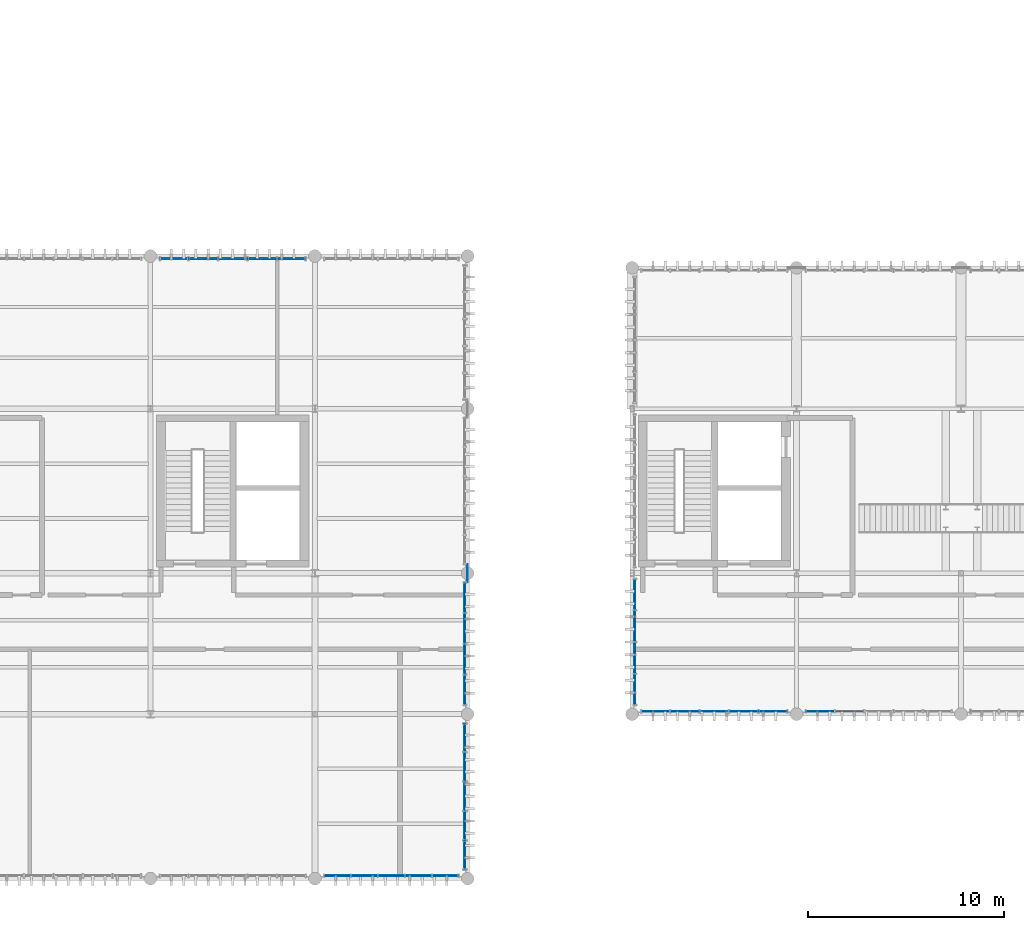
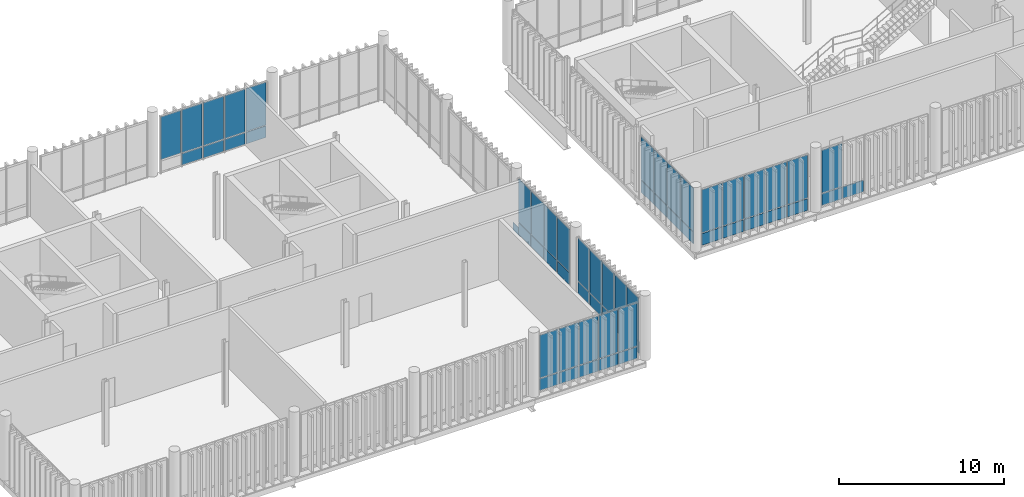
# One storey, part 63 of 86: 59 plates, 7 elements without a shape of their own.
"""IFC4 building model written with IfcOpenShell, lengths in metres."""

from ifc_helpers import new_model, si_unit, direction, frame, frame_2d, origin_with_axes, origin_2d_with_axis, place, context, subcontext, project, spatial, rectangle, extrude, material, layer, layer_set, type_object, element, aggregate, save


model = new_model("IFC4")

# Units and contexts
model_context = context("Model", 3, precision=1e-05, world=origin_with_axes(), true_north=direction((0.0, 1.0)))
body_context = subcontext(model_context, "Body", "Model", "MODEL_VIEW")
ifc_project = project(units=[si_unit("LENGTHUNIT", "METRE"), si_unit("AREAUNIT", "SQUARE_METRE"), si_unit("VOLUMEUNIT", "CUBIC_METRE"), si_unit("PLANEANGLEUNIT", "RADIAN"), si_unit("MASSUNIT", "GRAM", prefix="KILO"), si_unit("THERMODYNAMICTEMPERATUREUNIT", "KELVIN")], contexts=[model_context])

# Site, building, storey
site_placement = place(None, origin_with_axes())
site = spatial("IfcSite", under=ifc_project, at=site_placement, CompositionType="ELEMENT")
building_placement = place(site_placement, origin_with_axes())
building = spatial("IfcBuilding", under=site, at=building_placement, Name="Montbau Bow Law Courts", CompositionType="ELEMENT")
storey_placement = place(building_placement, frame((0.0, 0.0, 29.7), z_axis=(0.0, 0.0, 1.0), x_axis=(1.0, 0.0, 0.0)))
storey = spatial("IfcBuildingStorey", under=building, at=storey_placement, Name="L06", CompositionType="ELEMENT", Elevation=29.7)

# Curtain wall, plates
ifc_material_1 = material(Name="Thermally Broken Extruded Aluminium AA 6063-T6", Category="aluminium")
curtain_wall_type_1 = type_object("IfcCurtainWallType", Name="CW-TRC-02", PredefinedType="NOTDEFINED", material=ifc_material_1)
curtain_wall_1_placement = place(None, frame((39.44, 30.74, 29.7), z_axis=(0.0, 0.0, 1.0), x_axis=(1.0, 0.0, 0.0)))
curtain_wall_1 = element("IfcCurtainWall", 1, at=curtain_wall_1_placement, inside=storey, type_object=curtain_wall_type_1, Name="CW-L06-098:cw_0098", PredefinedType="NOTDEFINED")
ifc_material_2 = material(Name="Triple-Glazed Low-E Argon Insulating Glass Unit", Category="glass")
ifc_layer_1 = layer(ifc_material_2, 0.044, Name="Curtain Panel", Category="glass")
ifc_layer_set_1 = layer_set([ifc_layer_1], Name="Triple-Glazed Low-E Argon Insulating Glass Unit")
plate_type_1 = type_object("IfcPlateType", Name="PL-CWP-01", PredefinedType="CURTAIN_PANEL", material=ifc_layer_set_1)
plate_1_placement = place(None, frame((39.502, 30.74, 30.682), z_axis=(0.0, -1.0, 0.0), x_axis=(1.0, 0.0, 0.0)))
plate_1 = element("IfcPlate", 2, at=plate_1_placement, type_object=plate_type_1, Name="CW-L06-098-P01-2:cw_0098_P01_2", PredefinedType="CURTAIN_PANEL", context=body_context, shape_type="SweptSolid", body=[
    extrude(rectangle(XDim=1.29, YDim=3.176, at=frame_2d((0.645, 1.588), x_axis=(1.0, 0.0))), frame((0.0, 0.0, -0.022), z_axis=(0.0, 0.0, 1.0), x_axis=(1.0, 0.0, 0.0)), (0.0, 0.0, 1.0), 0.044),
])
plate_2_placement = place(None, frame((40.856, 30.74, 30.682), z_axis=(0.0, -1.0, 0.0), x_axis=(1.0, 0.0, 0.0)))
plate_2 = element("IfcPlate", 3, at=plate_2_placement, type_object=plate_type_1, Name="CW-L06-098-P02-2:cw_0098_P02_2", PredefinedType="CURTAIN_PANEL", context=body_context, shape_type="SweptSolid", body=[
    extrude(rectangle(XDim=1.32, YDim=3.176, at=frame_2d((0.66, 1.588), x_axis=(1.0, 0.0))), frame((0.0, 0.0, -0.022), z_axis=(0.0, 0.0, 1.0), x_axis=(1.0, 0.0, 0.0)), (0.0, 0.0, 1.0), 0.044),
])
plate_3_placement = place(None, frame((42.24, 30.74, 30.682), z_axis=(0.0, -1.0, 0.0), x_axis=(1.0, 0.0, 0.0)))
plate_3 = element("IfcPlate", 4, at=plate_3_placement, type_object=plate_type_1, Name="CW-L06-098-P03-2:cw_0098_P03_2", PredefinedType="CURTAIN_PANEL", context=body_context, shape_type="SweptSolid", body=[
    extrude(rectangle(XDim=1.32, YDim=3.176, at=frame_2d((0.66, 1.588), x_axis=(1.0, 0.0))), frame((0.0, 0.0, -0.022), z_axis=(0.0, 0.0, 1.0), x_axis=(1.0, 0.0, 0.0)), (0.0, 0.0, 1.0), 0.044),
])
plate_4_placement = place(None, frame((43.624, 30.74, 30.682), z_axis=(0.0, -1.0, 0.0), x_axis=(1.0, 0.0, 0.0)))
plate_4 = element("IfcPlate", 5, at=plate_4_placement, type_object=plate_type_1, Name="CW-L06-098-P04-2:cw_0098_P04_2", PredefinedType="CURTAIN_PANEL", context=body_context, shape_type="SweptSolid", body=[
    extrude(rectangle(XDim=1.32, YDim=3.176, at=frame_2d((0.66, 1.588), x_axis=(1.0, 0.0))), frame((0.0, 0.0, -0.022), z_axis=(0.0, 0.0, 1.0), x_axis=(1.0, 0.0, 0.0)), (0.0, 0.0, 1.0), 0.044),
])
plate_5_placement = place(None, frame((45.008, 30.74, 30.682), z_axis=(0.0, -1.0, 0.0), x_axis=(1.0, 0.0, 0.0)))
plate_5 = element("IfcPlate", 6, at=plate_5_placement, type_object=plate_type_1, Name="CW-L06-098-P05-2:cw_0098_P05_2", PredefinedType="CURTAIN_PANEL", context=body_context, shape_type="SweptSolid", body=[
    extrude(rectangle(XDim=1.29, YDim=3.176, at=frame_2d((0.645, 1.588), x_axis=(1.0, 0.0))), frame((0.0, 0.0, -0.022), z_axis=(0.0, 0.0, 1.0), x_axis=(1.0, 0.0, 0.0)), (0.0, 0.0, 1.0), 0.044),
])

curtain_wall_2_placement = place(None, frame((31.04, 62.26, 29.7), z_axis=(0.0, 0.0, 1.0), x_axis=(1.0, 0.0, 0.0)))
curtain_wall_2 = element("IfcCurtainWall", 7, at=curtain_wall_2_placement, inside=storey, type_object=curtain_wall_type_1, Name="CW-L06-102:cw_0102", PredefinedType="NOTDEFINED")
plate_6_placement = place(None, frame((31.116, 62.26, 30.682), z_axis=(0.0, -1.0, 0.0), x_axis=(1.0, 0.0, 0.0)))
plate_6 = element("IfcPlate", 8, at=plate_6_placement, type_object=plate_type_1, Name="CW-L06-102-P01-2:cw_0102_P01_2", PredefinedType="CURTAIN_PANEL", context=body_context, shape_type="SweptSolid", body=[
    extrude(rectangle(XDim=1.388, YDim=3.176, at=frame_2d((0.694, 1.588), x_axis=(1.0, 0.0))), frame((0.0, 0.0, -0.022), z_axis=(0.0, 0.0, 1.0), x_axis=(1.0, 0.0, 0.0)), (0.0, 0.0, 1.0), 0.044),
])
plate_7_placement = place(None, frame((32.584, 62.26, 30.682), z_axis=(0.0, -1.0, 0.0), x_axis=(1.0, 0.0, 0.0)))
plate_7 = element("IfcPlate", 9, at=plate_7_placement, type_object=plate_type_1, Name="CW-L06-102-P02-2:cw_0102_P02_2", PredefinedType="CURTAIN_PANEL", context=body_context, shape_type="SweptSolid", body=[
    extrude(rectangle(XDim=1.425, YDim=3.176, at=frame_2d((0.7125, 1.588), x_axis=(1.0, 0.0))), frame((0.0, 0.0, -0.022), z_axis=(0.0, 0.0, 1.0), x_axis=(1.0, 0.0, 0.0)), (0.0, 0.0, 1.0), 0.044),
])
plate_8_placement = place(None, frame((34.087, 62.26, 30.682), z_axis=(0.0, -1.0, 0.0), x_axis=(1.0, 0.0, 0.0)))
plate_8 = element("IfcPlate", 10, at=plate_8_placement, type_object=plate_type_1, Name="CW-L06-102-P03-2:cw_0102_P03_2", PredefinedType="CURTAIN_PANEL", context=body_context, shape_type="SweptSolid", body=[
    extrude(rectangle(XDim=1.426, YDim=3.176, at=frame_2d((0.713, 1.588), x_axis=(1.0, 0.0))), frame((0.0, 0.0, -0.022), z_axis=(0.0, 0.0, 1.0), x_axis=(1.0, 0.0, 0.0)), (0.0, 0.0, 1.0), 0.044),
])
plate_9_placement = place(None, frame((35.591, 62.26, 30.682), z_axis=(0.0, -1.0, 0.0), x_axis=(1.0, 0.0, 0.0)))
plate_9 = element("IfcPlate", 11, at=plate_9_placement, type_object=plate_type_1, Name="CW-L06-102-P04-2:cw_0102_P04_2", PredefinedType="CURTAIN_PANEL", context=body_context, shape_type="SweptSolid", body=[
    extrude(rectangle(XDim=1.426, YDim=3.176, at=frame_2d((0.713, 1.588), x_axis=(1.0, 0.0))), frame((0.0, 0.0, -0.022), z_axis=(0.0, 0.0, 1.0), x_axis=(1.0, 0.0, 0.0)), (0.0, 0.0, 1.0), 0.044),
])
plate_10_placement = place(None, frame((37.095, 62.26, 30.682), z_axis=(0.0, -1.0, 0.0), x_axis=(1.0, 0.0, 0.0)))
plate_10 = element("IfcPlate", 12, at=plate_10_placement, type_object=plate_type_1, Name="CW-L06-102-P05-2:cw_0102_P05_2", PredefinedType="CURTAIN_PANEL", context=body_context, shape_type="SweptSolid", body=[
    extrude(rectangle(XDim=1.389, YDim=3.176, at=frame_2d((0.6945, 1.588), x_axis=(1.0, 0.0))), frame((0.0, 0.0, -0.022), z_axis=(0.0, 0.0, 1.0), x_axis=(1.0, 0.0, 0.0)), (0.0, 0.0, 1.0), 0.044),
])

curtain_wall_3_placement = place(None, frame((46.66, 31.04, 29.7), z_axis=(0.0, 0.0, 1.0), x_axis=(1.0, 0.0, 0.0)))
curtain_wall_3 = element("IfcCurtainWall", 13, at=curtain_wall_3_placement, inside=storey, type_object=curtain_wall_type_1, Name="CW-L06-108:cw_0108", PredefinedType="NOTDEFINED")
plate_11_placement = place(None, frame((46.66, 31.116, 30.682), z_axis=(1.0, 0.0, 0.0), x_axis=(0.0, 1.0, 0.0)))
plate_11 = element("IfcPlate", 14, at=plate_11_placement, type_object=plate_type_1, Name="CW-L06-108-P01-2:cw_0108_P01_2", PredefinedType="CURTAIN_PANEL", context=body_context, shape_type="SweptSolid", body=[
    extrude(rectangle(XDim=1.388, YDim=3.176, at=frame_2d((0.694, 1.588), x_axis=(1.0, 0.0))), frame((0.0, 0.0, -0.022), z_axis=(0.0, 0.0, 1.0), x_axis=(1.0, 0.0, 0.0)), (0.0, 0.0, 1.0), 0.044),
])
plate_12_placement = place(None, frame((46.66, 32.584, 30.682), z_axis=(1.0, 0.0, 0.0), x_axis=(0.0, 1.0, 0.0)))
plate_12 = element("IfcPlate", 15, at=plate_12_placement, type_object=plate_type_1, Name="CW-L06-108-P02-2:cw_0108_P02_2", PredefinedType="CURTAIN_PANEL", context=body_context, shape_type="SweptSolid", body=[
    extrude(rectangle(XDim=1.425, YDim=3.176, at=frame_2d((0.7125, 1.588), x_axis=(1.0, 0.0))), frame((0.0, 0.0, -0.022), z_axis=(0.0, 0.0, 1.0), x_axis=(1.0, 0.0, 0.0)), (0.0, 0.0, 1.0), 0.044),
])
plate_13_placement = place(None, frame((46.66, 34.087, 30.682), z_axis=(1.0, 0.0, 0.0), x_axis=(0.0, 1.0, 0.0)))
plate_13 = element("IfcPlate", 16, at=plate_13_placement, type_object=plate_type_1, Name="CW-L06-108-P03-2:cw_0108_P03_2", PredefinedType="CURTAIN_PANEL", context=body_context, shape_type="SweptSolid", body=[
    extrude(rectangle(XDim=1.426, YDim=3.176, at=frame_2d((0.713, 1.588), x_axis=(1.0, 0.0))), frame((0.0, 0.0, -0.022), z_axis=(0.0, 0.0, 1.0), x_axis=(1.0, 0.0, 0.0)), (0.0, 0.0, 1.0), 0.044),
])
plate_14_placement = place(None, frame((46.66, 35.591, 30.682), z_axis=(1.0, 0.0, 0.0), x_axis=(0.0, 1.0, 0.0)))
plate_14 = element("IfcPlate", 17, at=plate_14_placement, type_object=plate_type_1, Name="CW-L06-108-P04-2:cw_0108_P04_2", PredefinedType="CURTAIN_PANEL", context=body_context, shape_type="SweptSolid", body=[
    extrude(rectangle(XDim=1.426, YDim=3.176, at=frame_2d((0.713, 1.588), x_axis=(1.0, 0.0))), frame((0.0, 0.0, -0.022), z_axis=(0.0, 0.0, 1.0), x_axis=(1.0, 0.0, 0.0)), (0.0, 0.0, 1.0), 0.044),
])
plate_15_placement = place(None, frame((46.66, 37.095, 30.682), z_axis=(1.0, 0.0, 0.0), x_axis=(0.0, 1.0, 0.0)))
plate_15 = element("IfcPlate", 18, at=plate_15_placement, type_object=plate_type_1, Name="CW-L06-108-P05-2:cw_0108_P05_2", PredefinedType="CURTAIN_PANEL", context=body_context, shape_type="SweptSolid", body=[
    extrude(rectangle(XDim=1.389, YDim=3.176, at=frame_2d((0.6945, 1.588), x_axis=(1.0, 0.0))), frame((0.0, 0.0, -0.022), z_axis=(0.0, 0.0, 1.0), x_axis=(1.0, 0.0, 0.0)), (0.0, 0.0, 1.0), 0.044),
])

curtain_wall_4_placement = place(None, frame((46.66, 39.44, 29.7), z_axis=(0.0, 0.0, 1.0), x_axis=(1.0, 0.0, 0.0)))
curtain_wall_4 = element("IfcCurtainWall", 19, at=curtain_wall_4_placement, inside=storey, type_object=curtain_wall_type_1, Name="CW-L06-109:cw_0109", PredefinedType="NOTDEFINED")
plate_16_placement = place(None, frame((46.66, 39.508, 30.679), z_axis=(1.0, 0.0, 0.0), x_axis=(0.0, 1.0, 0.0)))
plate_16 = element("IfcPlate", 20, at=plate_16_placement, type_object=plate_type_1, Name="CW-L06-109-P01-2:cw_0109_P01_2", PredefinedType="CURTAIN_PANEL", context=body_context, shape_type="SweptSolid", body=[
    extrude(rectangle(XDim=1.478, YDim=3.183, at=frame_2d((0.739, 1.5915), x_axis=(1.0, 0.0))), frame((0.0, 0.0, -0.022), z_axis=(0.0, 0.0, 1.0), x_axis=(1.0, 0.0, 0.0)), (0.0, 0.0, 1.0), 0.044),
])
plate_17_placement = place(None, frame((46.66, 41.055, 30.679), z_axis=(1.0, 0.0, 0.0), x_axis=(0.0, 1.0, 0.0)))
plate_17 = element("IfcPlate", 21, at=plate_17_placement, type_object=plate_type_1, Name="CW-L06-109-P02-2:cw_0109_P02_2", PredefinedType="CURTAIN_PANEL", context=body_context, shape_type="SweptSolid", body=[
    extrude(rectangle(XDim=1.511, YDim=3.183, at=frame_2d((0.7555, 1.5915), x_axis=(1.0, 0.0))), frame((0.0, 0.0, -0.022), z_axis=(0.0, 0.0, 1.0), x_axis=(1.0, 0.0, 0.0)), (0.0, 0.0, 1.0), 0.044),
])
plate_18_placement = place(None, frame((46.66, 42.635, 30.679), z_axis=(1.0, 0.0, 0.0), x_axis=(0.0, 1.0, 0.0)))
plate_18 = element("IfcPlate", 22, at=plate_18_placement, type_object=plate_type_1, Name="CW-L06-109-P03-2:cw_0109_P03_2", PredefinedType="CURTAIN_PANEL", context=body_context, shape_type="SweptSolid", body=[
    extrude(rectangle(XDim=1.511, YDim=3.183, at=frame_2d((0.7555, 1.5915), x_axis=(1.0, 0.0))), frame((0.0, 0.0, -0.022), z_axis=(0.0, 0.0, 1.0), x_axis=(1.0, 0.0, 0.0)), (0.0, 0.0, 1.0), 0.044),
])
plate_19_placement = place(None, frame((46.66, 44.214, 30.679), z_axis=(1.0, 0.0, 0.0), x_axis=(0.0, 1.0, 0.0)))
plate_19 = element("IfcPlate", 23, at=plate_19_placement, type_object=plate_type_1, Name="CW-L06-109-P04-2:cw_0109_P04_2", PredefinedType="CURTAIN_PANEL", context=body_context, shape_type="SweptSolid", body=[
    extrude(rectangle(XDim=1.48, YDim=3.183, at=frame_2d((0.74, 1.5915), x_axis=(1.0, 0.0))), frame((0.0, 0.0, -0.022), z_axis=(0.0, 0.0, 1.0), x_axis=(1.0, 0.0, 0.0)), (0.0, 0.0, 1.0), 0.044),
])

curtain_wall_type_2 = type_object("IfcCurtainWallType", Name="CW-CRM-02", PredefinedType="NOTDEFINED", material=ifc_material_1)
curtain_wall_5_placement = place(None, frame((55.64, 39.14, 29.7), z_axis=(0.0, 0.0, 1.0), x_axis=(1.0, 0.0, 0.0)))
curtain_wall_5 = element("IfcCurtainWall", 24, at=curtain_wall_5_placement, inside=storey, type_object=curtain_wall_type_2, Name="CW-L06-223:cw_0223", PredefinedType="NOTDEFINED")
plate_20_placement = place(None, frame((55.708, 39.14, 30.679), z_axis=(0.0, -1.0, 0.0), x_axis=(1.0, 0.0, 0.0)))
plate_20 = element("IfcPlate", 25, at=plate_20_placement, type_object=plate_type_1, Name="CW-L06-223-P01-2:cw_0223_P01_2", PredefinedType="CURTAIN_PANEL", context=body_context, shape_type="SweptSolid", body=[
    extrude(rectangle(XDim=1.402, YDim=3.183, at=frame_2d((0.701, 1.5915), x_axis=(1.0, 0.0))), frame((0.0, 0.0, -0.022), z_axis=(0.0, 0.0, 1.0), x_axis=(1.0, 0.0, 0.0)), (0.0, 0.0, 1.0), 0.044),
])
plate_21_placement = place(None, frame((57.178, 39.14, 30.679), z_axis=(0.0, -1.0, 0.0), x_axis=(1.0, 0.0, 0.0)))
plate_21 = element("IfcPlate", 26, at=plate_21_placement, type_object=plate_type_1, Name="CW-L06-223-P02-2:cw_0223_P02_2", PredefinedType="CURTAIN_PANEL", context=body_context, shape_type="SweptSolid", body=[
    extrude(rectangle(XDim=1.436, YDim=3.183, at=frame_2d((0.718, 1.5915), x_axis=(1.0, 0.0))), frame((0.0, 0.0, -0.022), z_axis=(0.0, 0.0, 1.0), x_axis=(1.0, 0.0, 0.0)), (0.0, 0.0, 1.0), 0.044),
])
plate_22_placement = place(None, frame((58.682, 39.14, 30.679), z_axis=(0.0, -1.0, 0.0), x_axis=(1.0, 0.0, 0.0)))
plate_22 = element("IfcPlate", 27, at=plate_22_placement, type_object=plate_type_1, Name="CW-L06-223-P03-2:cw_0223_P03_2", PredefinedType="CURTAIN_PANEL", context=body_context, shape_type="SweptSolid", body=[
    extrude(rectangle(XDim=1.436, YDim=3.183, at=frame_2d((0.718, 1.5915), x_axis=(1.0, 0.0))), frame((0.0, 0.0, -0.022), z_axis=(0.0, 0.0, 1.0), x_axis=(1.0, 0.0, 0.0)), (0.0, 0.0, 1.0), 0.044),
])
plate_23_placement = place(None, frame((60.186, 39.14, 30.679), z_axis=(0.0, -1.0, 0.0), x_axis=(1.0, 0.0, 0.0)))
plate_23 = element("IfcPlate", 28, at=plate_23_placement, type_object=plate_type_1, Name="CW-L06-223-P04-2:cw_0223_P04_2", PredefinedType="CURTAIN_PANEL", context=body_context, shape_type="SweptSolid", body=[
    extrude(rectangle(XDim=1.436, YDim=3.183, at=frame_2d((0.718, 1.5915), x_axis=(1.0, 0.0))), frame((0.0, 0.0, -0.022), z_axis=(0.0, 0.0, 1.0), x_axis=(1.0, 0.0, 0.0)), (0.0, 0.0, 1.0), 0.044),
])
plate_24_placement = place(None, frame((61.69, 39.14, 30.679), z_axis=(0.0, -1.0, 0.0), x_axis=(1.0, 0.0, 0.0)))
plate_24 = element("IfcPlate", 29, at=plate_24_placement, type_object=plate_type_1, Name="CW-L06-223-P05-2:cw_0223_P05_2", PredefinedType="CURTAIN_PANEL", context=body_context, shape_type="SweptSolid", body=[
    extrude(rectangle(XDim=1.403, YDim=3.183, at=frame_2d((0.7015, 1.5915), x_axis=(1.0, 0.0))), frame((0.0, 0.0, -0.022), z_axis=(0.0, 0.0, 1.0), x_axis=(1.0, 0.0, 0.0)), (0.0, 0.0, 1.0), 0.044),
])

# Curtain wall, plate
curtain_wall_6_placement = place(None, frame((64.04, 39.14, 29.7), z_axis=(0.0, 0.0, 1.0), x_axis=(1.0, 0.0, 0.0)))
curtain_wall_6 = element("IfcCurtainWall", 30, at=curtain_wall_6_placement, inside=storey, type_object=curtain_wall_type_2, Name="CW-L06-224:cw_0224", PredefinedType="NOTDEFINED")
plate_25_placement = place(None, frame((64.102, 39.14, 30.682), z_axis=(0.0, -1.0, 0.0), x_axis=(1.0, 0.0, 0.0)))
plate_25 = element("IfcPlate", 31, at=plate_25_placement, type_object=plate_type_1, Name="CW-L06-224-P01-2:cw_0224_P01_2", PredefinedType="CURTAIN_PANEL", context=body_context, shape_type="SweptSolid", body=[
    extrude(rectangle(XDim=1.41, YDim=3.176, at=frame_2d((0.705, 1.588), x_axis=(1.0, 0.0))), frame((0.0, 0.0, -0.022), z_axis=(0.0, 0.0, 1.0), x_axis=(1.0, 0.0, 0.0)), (0.0, 0.0, 1.0), 0.044),
])

# Curtain wall, plates
curtain_wall_7_placement = place(None, frame((55.34, 39.44, 29.7), z_axis=(0.0, 0.0, 1.0), x_axis=(1.0, 0.0, 0.0)))
curtain_wall_7 = element("IfcCurtainWall", 32, at=curtain_wall_7_placement, inside=storey, type_object=curtain_wall_type_2, Name="CW-L06-235:cw_0235", PredefinedType="NOTDEFINED")
plate_26_placement = place(None, frame((55.34, 39.508, 30.679), z_axis=(1.0, 0.0, 0.0), x_axis=(0.0, 1.0, 0.0)))
plate_26 = element("IfcPlate", 33, at=plate_26_placement, type_object=plate_type_1, Name="CW-L06-235-P01-2:cw_0235_P01_2", PredefinedType="CURTAIN_PANEL", context=body_context, shape_type="SweptSolid", body=[
    extrude(rectangle(XDim=1.521, YDim=3.183, at=frame_2d((0.7605, 1.5915), x_axis=(1.0, 0.0))), frame((0.0, 0.0, -0.022), z_axis=(0.0, 0.0, 1.0), x_axis=(1.0, 0.0, 0.0)), (0.0, 0.0, 1.0), 0.044),
])
plate_27_placement = place(None, frame((55.34, 41.097, 30.679), z_axis=(1.0, 0.0, 0.0), x_axis=(0.0, 1.0, 0.0)))
plate_27 = element("IfcPlate", 34, at=plate_27_placement, type_object=plate_type_1, Name="CW-L06-235-P02-2:cw_0235_P02_2", PredefinedType="CURTAIN_PANEL", context=body_context, shape_type="SweptSolid", body=[
    extrude(rectangle(XDim=1.555, YDim=3.183, at=frame_2d((0.7775, 1.5915), x_axis=(1.0, 0.0))), frame((0.0, 0.0, -0.022), z_axis=(0.0, 0.0, 1.0), x_axis=(1.0, 0.0, 0.0)), (0.0, 0.0, 1.0), 0.044),
])
plate_28_placement = place(None, frame((55.34, 42.72, 30.679), z_axis=(1.0, 0.0, 0.0), x_axis=(0.0, 1.0, 0.0)))
plate_28 = element("IfcPlate", 35, at=plate_28_placement, type_object=plate_type_1, Name="CW-L06-235-P03-2:cw_0235_P03_2", PredefinedType="CURTAIN_PANEL", context=body_context, shape_type="SweptSolid", body=[
    extrude(rectangle(XDim=1.555, YDim=3.183, at=frame_2d((0.7775, 1.5915), x_axis=(1.0, 0.0))), frame((0.0, 0.0, -0.022), z_axis=(0.0, 0.0, 1.0), x_axis=(1.0, 0.0, 0.0)), (0.0, 0.0, 1.0), 0.044),
])
plate_29_placement = place(None, frame((55.34, 44.343, 30.679), z_axis=(1.0, 0.0, 0.0), x_axis=(0.0, 1.0, 0.0)))
plate_29 = element("IfcPlate", 36, at=plate_29_placement, type_object=plate_type_1, Name="CW-L06-235-P04-2:cw_0235_P04_2", PredefinedType="CURTAIN_PANEL", context=body_context, shape_type="SweptSolid", body=[
    extrude(rectangle(XDim=1.523, YDim=3.183, at=frame_2d((0.7615, 1.5915), x_axis=(1.0, 0.0))), frame((0.0, 0.0, -0.022), z_axis=(0.0, 0.0, 1.0), x_axis=(1.0, 0.0, 0.0)), (0.0, 0.0, 1.0), 0.044),
])

# Plate
ifc_material_3 = material(Name="Insulated Ceramic-Frit Spandrel Glazing Unit", Category="glass")
ifc_layer_2 = layer(ifc_material_3, 0.056, Name="Curtain Panel", Category="glass")
ifc_layer_set_2 = layer_set([ifc_layer_2], Name="Insulated Ceramic-Frit Spandrel Glazing Unit")
plate_type_2 = type_object("IfcPlateType", Name="PL-CWP-02", PredefinedType="CURTAIN_PANEL", material=ifc_layer_set_2)
plate_30_placement = place(None, frame((39.502, 30.74, 29.762), z_axis=(0.0, -1.0, 0.0), x_axis=(1.0, 0.0, 0.0)))
plate_30 = element("IfcPlate", 37, at=plate_30_placement, type_object=plate_type_2, Name="CW-L06-098-P01-1:cw_0098_P01_1", PredefinedType="CURTAIN_PANEL", context=body_context, shape_type="SweptSolid", body=[
    extrude(rectangle(XDim=1.29, YDim=0.856, at=frame_2d((0.645, 0.428), x_axis=(1.0, 0.0))), frame((0.0, 0.0, -0.028), z_axis=(0.0, 0.0, 1.0), x_axis=(1.0, 0.0, 0.0)), (0.0, 0.0, 1.0), 0.056),
])

plate_31_placement = place(None, frame((40.856, 30.74, 29.762), z_axis=(0.0, -1.0, 0.0), x_axis=(1.0, 0.0, 0.0)))
plate_31 = element("IfcPlate", 38, at=plate_31_placement, type_object=plate_type_2, Name="CW-L06-098-P02-1:cw_0098_P02_1", PredefinedType="CURTAIN_PANEL", context=body_context, shape_type="SweptSolid", body=[
    extrude(rectangle(XDim=1.32, YDim=0.856, at=frame_2d((0.66, 0.428), x_axis=(1.0, 0.0))), frame((0.0, 0.0, -0.028), z_axis=(0.0, 0.0, 1.0), x_axis=(1.0, 0.0, 0.0)), (0.0, 0.0, 1.0), 0.056),
])

plate_32_placement = place(None, frame((42.24, 30.74, 29.762), z_axis=(0.0, -1.0, 0.0), x_axis=(1.0, 0.0, 0.0)))
plate_32 = element("IfcPlate", 39, at=plate_32_placement, type_object=plate_type_2, Name="CW-L06-098-P03-1:cw_0098_P03_1", PredefinedType="CURTAIN_PANEL", context=body_context, shape_type="SweptSolid", body=[
    extrude(rectangle(XDim=1.32, YDim=0.856, at=frame_2d((0.66, 0.428), x_axis=(1.0, 0.0))), frame((0.0, 0.0, -0.028), z_axis=(0.0, 0.0, 1.0), x_axis=(1.0, 0.0, 0.0)), (0.0, 0.0, 1.0), 0.056),
])

plate_33_placement = place(None, frame((43.624, 30.74, 29.762), z_axis=(0.0, -1.0, 0.0), x_axis=(1.0, 0.0, 0.0)))
plate_33 = element("IfcPlate", 40, at=plate_33_placement, type_object=plate_type_2, Name="CW-L06-098-P04-1:cw_0098_P04_1", PredefinedType="CURTAIN_PANEL", context=body_context, shape_type="SweptSolid", body=[
    extrude(rectangle(XDim=1.32, YDim=0.856, at=frame_2d((0.66, 0.428), x_axis=(1.0, 0.0))), frame((0.0, 0.0, -0.028), z_axis=(0.0, 0.0, 1.0), x_axis=(1.0, 0.0, 0.0)), (0.0, 0.0, 1.0), 0.056),
])

plate_34_placement = place(None, frame((45.008, 30.74, 29.762), z_axis=(0.0, -1.0, 0.0), x_axis=(1.0, 0.0, 0.0)))
plate_34 = element("IfcPlate", 41, at=plate_34_placement, type_object=plate_type_2, Name="CW-L06-098-P05-1:cw_0098_P05_1", PredefinedType="CURTAIN_PANEL", context=body_context, shape_type="SweptSolid", body=[
    extrude(rectangle(XDim=1.29, YDim=0.856, at=frame_2d((0.645, 0.428), x_axis=(1.0, 0.0))), frame((0.0, 0.0, -0.028), z_axis=(0.0, 0.0, 1.0), x_axis=(1.0, 0.0, 0.0)), (0.0, 0.0, 1.0), 0.056),
])

aggregate(curtain_wall_1, [plate_30, plate_1, plate_31, plate_2, plate_32, plate_3, plate_33, plate_4, plate_34, plate_5])

plate_35_placement = place(None, frame((32.584, 62.26, 29.762), z_axis=(0.0, -1.0, 0.0), x_axis=(1.0, 0.0, 0.0)))
plate_35 = element("IfcPlate", 42, at=plate_35_placement, type_object=plate_type_2, Name="CW-L06-102-P02-1:cw_0102_P02_1", PredefinedType="CURTAIN_PANEL", context=body_context, shape_type="SweptSolid", body=[
    extrude(rectangle(XDim=1.425, YDim=0.856, at=frame_2d((0.7125, 0.428), x_axis=(1.0, 0.0))), frame((0.0, 0.0, -0.028), z_axis=(0.0, 0.0, 1.0), x_axis=(1.0, 0.0, 0.0)), (0.0, 0.0, 1.0), 0.056),
])

plate_36_placement = place(None, frame((34.087, 62.26, 29.762), z_axis=(0.0, -1.0, 0.0), x_axis=(1.0, 0.0, 0.0)))
plate_36 = element("IfcPlate", 43, at=plate_36_placement, type_object=plate_type_2, Name="CW-L06-102-P03-1:cw_0102_P03_1", PredefinedType="CURTAIN_PANEL", context=body_context, shape_type="SweptSolid", body=[
    extrude(rectangle(XDim=1.426, YDim=0.856, at=frame_2d((0.713, 0.428), x_axis=(1.0, 0.0))), frame((0.0, 0.0, -0.028), z_axis=(0.0, 0.0, 1.0), x_axis=(1.0, 0.0, 0.0)), (0.0, 0.0, 1.0), 0.056),
])

plate_37_placement = place(None, frame((35.591, 62.26, 29.762), z_axis=(0.0, -1.0, 0.0), x_axis=(1.0, 0.0, 0.0)))
plate_37 = element("IfcPlate", 44, at=plate_37_placement, type_object=plate_type_2, Name="CW-L06-102-P04-1:cw_0102_P04_1", PredefinedType="CURTAIN_PANEL", context=body_context, shape_type="SweptSolid", body=[
    extrude(rectangle(XDim=1.426, YDim=0.856, at=frame_2d((0.713, 0.428), x_axis=(1.0, 0.0))), frame((0.0, 0.0, -0.028), z_axis=(0.0, 0.0, 1.0), x_axis=(1.0, 0.0, 0.0)), (0.0, 0.0, 1.0), 0.056),
])

plate_38_placement = place(None, frame((37.095, 62.26, 29.762), z_axis=(0.0, -1.0, 0.0), x_axis=(1.0, 0.0, 0.0)))
plate_38 = element("IfcPlate", 45, at=plate_38_placement, type_object=plate_type_2, Name="CW-L06-102-P05-1:cw_0102_P05_1", PredefinedType="CURTAIN_PANEL", context=body_context, shape_type="SweptSolid", body=[
    extrude(rectangle(XDim=1.389, YDim=0.856, at=frame_2d((0.6945, 0.428), x_axis=(1.0, 0.0))), frame((0.0, 0.0, -0.028), z_axis=(0.0, 0.0, 1.0), x_axis=(1.0, 0.0, 0.0)), (0.0, 0.0, 1.0), 0.056),
])

aggregate(curtain_wall_2, [plate_6, plate_35, plate_7, plate_36, plate_8, plate_37, plate_9, plate_38, plate_10])

plate_39_placement = place(None, frame((46.66, 31.116, 29.762), z_axis=(1.0, 0.0, 0.0), x_axis=(0.0, 1.0, 0.0)))
plate_39 = element("IfcPlate", 46, at=plate_39_placement, type_object=plate_type_2, Name="CW-L06-108-P01-1:cw_0108_P01_1", PredefinedType="CURTAIN_PANEL", context=body_context, shape_type="SweptSolid", body=[
    extrude(rectangle(XDim=1.388, YDim=0.856, at=frame_2d((0.694, 0.428), x_axis=(1.0, 0.0))), frame((0.0, 0.0, -0.028), z_axis=(0.0, 0.0, 1.0), x_axis=(1.0, 0.0, 0.0)), (0.0, 0.0, 1.0), 0.056),
])

plate_40_placement = place(None, frame((46.66, 32.584, 29.762), z_axis=(1.0, 0.0, 0.0), x_axis=(0.0, 1.0, 0.0)))
plate_40 = element("IfcPlate", 47, at=plate_40_placement, type_object=plate_type_2, Name="CW-L06-108-P02-1:cw_0108_P02_1", PredefinedType="CURTAIN_PANEL", context=body_context, shape_type="SweptSolid", body=[
    extrude(rectangle(XDim=1.425, YDim=0.856, at=frame_2d((0.7125, 0.428), x_axis=(1.0, 0.0))), frame((0.0, 0.0, -0.028), z_axis=(0.0, 0.0, 1.0), x_axis=(1.0, 0.0, 0.0)), (0.0, 0.0, 1.0), 0.056),
])

plate_41_placement = place(None, frame((46.66, 34.087, 29.762), z_axis=(1.0, 0.0, 0.0), x_axis=(0.0, 1.0, 0.0)))
plate_41 = element("IfcPlate", 48, at=plate_41_placement, type_object=plate_type_2, Name="CW-L06-108-P03-1:cw_0108_P03_1", PredefinedType="CURTAIN_PANEL", context=body_context, shape_type="SweptSolid", body=[
    extrude(rectangle(XDim=1.426, YDim=0.856, at=frame_2d((0.713, 0.428), x_axis=(1.0, 0.0))), frame((0.0, 0.0, -0.028), z_axis=(0.0, 0.0, 1.0), x_axis=(1.0, 0.0, 0.0)), (0.0, 0.0, 1.0), 0.056),
])

plate_42_placement = place(None, frame((46.66, 35.591, 29.762), z_axis=(1.0, 0.0, 0.0), x_axis=(0.0, 1.0, 0.0)))
plate_42 = element("IfcPlate", 49, at=plate_42_placement, type_object=plate_type_2, Name="CW-L06-108-P04-1:cw_0108_P04_1", PredefinedType="CURTAIN_PANEL", context=body_context, shape_type="SweptSolid", body=[
    extrude(rectangle(XDim=1.426, YDim=0.856, at=frame_2d((0.713, 0.428), x_axis=(1.0, 0.0))), frame((0.0, 0.0, -0.028), z_axis=(0.0, 0.0, 1.0), x_axis=(1.0, 0.0, 0.0)), (0.0, 0.0, 1.0), 0.056),
])

plate_43_placement = place(None, frame((46.66, 37.095, 29.762), z_axis=(1.0, 0.0, 0.0), x_axis=(0.0, 1.0, 0.0)))
plate_43 = element("IfcPlate", 50, at=plate_43_placement, type_object=plate_type_2, Name="CW-L06-108-P05-1:cw_0108_P05_1", PredefinedType="CURTAIN_PANEL", context=body_context, shape_type="SweptSolid", body=[
    extrude(rectangle(XDim=1.389, YDim=0.856, at=frame_2d((0.6945, 0.428), x_axis=(1.0, 0.0))), frame((0.0, 0.0, -0.028), z_axis=(0.0, 0.0, 1.0), x_axis=(1.0, 0.0, 0.0)), (0.0, 0.0, 1.0), 0.056),
])

aggregate(curtain_wall_3, [plate_39, plate_11, plate_40, plate_12, plate_41, plate_13, plate_42, plate_14, plate_43, plate_15])

plate_44_placement = place(None, frame((46.66, 39.508, 29.756), z_axis=(1.0, 0.0, 0.0), x_axis=(0.0, 1.0, 0.0)))
plate_44 = element("IfcPlate", 51, at=plate_44_placement, type_object=plate_type_2, Name="CW-L06-109-P01-1:cw_0109_P01_1", PredefinedType="CURTAIN_PANEL", context=body_context, shape_type="SweptSolid", body=[
    extrude(rectangle(XDim=1.478, YDim=0.864, at=frame_2d((0.739, 0.432), x_axis=(1.0, 0.0))), frame((0.0, 0.0, -0.028), z_axis=(0.0, 0.0, 1.0), x_axis=(1.0, 0.0, 0.0)), (0.0, 0.0, 1.0), 0.056),
])

plate_45_placement = place(None, frame((46.66, 41.055, 29.756), z_axis=(1.0, 0.0, 0.0), x_axis=(0.0, 1.0, 0.0)))
plate_45 = element("IfcPlate", 52, at=plate_45_placement, type_object=plate_type_2, Name="CW-L06-109-P02-1:cw_0109_P02_1", PredefinedType="CURTAIN_PANEL", context=body_context, shape_type="SweptSolid", body=[
    extrude(rectangle(XDim=1.511, YDim=0.864, at=frame_2d((0.7555, 0.432), x_axis=(1.0, 0.0))), frame((0.0, 0.0, -0.028), z_axis=(0.0, 0.0, 1.0), x_axis=(1.0, 0.0, 0.0)), (0.0, 0.0, 1.0), 0.056),
])

plate_46_placement = place(None, frame((46.66, 42.635, 29.756), z_axis=(1.0, 0.0, 0.0), x_axis=(0.0, 1.0, 0.0)))
plate_46 = element("IfcPlate", 53, at=plate_46_placement, type_object=plate_type_2, Name="CW-L06-109-P03-1:cw_0109_P03_1", PredefinedType="CURTAIN_PANEL", context=body_context, shape_type="SweptSolid", body=[
    extrude(rectangle(XDim=1.511, YDim=0.864, at=frame_2d((0.7555, 0.432), x_axis=(1.0, 0.0))), frame((0.0, 0.0, -0.028), z_axis=(0.0, 0.0, 1.0), x_axis=(1.0, 0.0, 0.0)), (0.0, 0.0, 1.0), 0.056),
])

plate_47_placement = place(None, frame((46.66, 44.214, 29.756), z_axis=(1.0, 0.0, 0.0), x_axis=(0.0, 1.0, 0.0)))
plate_47 = element("IfcPlate", 54, at=plate_47_placement, type_object=plate_type_2, Name="CW-L06-109-P04-1:cw_0109_P04_1", PredefinedType="CURTAIN_PANEL", context=body_context, shape_type="SweptSolid", body=[
    extrude(rectangle(XDim=1.48, YDim=0.864, at=frame_2d((0.74, 0.432), x_axis=(1.0, 0.0))), frame((0.0, 0.0, -0.028), z_axis=(0.0, 0.0, 1.0), x_axis=(1.0, 0.0, 0.0)), (0.0, 0.0, 1.0), 0.056),
])

aggregate(curtain_wall_4, [plate_44, plate_16, plate_45, plate_17, plate_46, plate_18, plate_47, plate_19])

plate_48_placement = place(None, frame((55.708, 39.14, 29.756), z_axis=(0.0, -1.0, 0.0), x_axis=(1.0, 0.0, 0.0)))
plate_48 = element("IfcPlate", 55, at=plate_48_placement, type_object=plate_type_2, Name="CW-L06-223-P01-1:cw_0223_P01_1", PredefinedType="CURTAIN_PANEL", context=body_context, shape_type="SweptSolid", body=[
    extrude(rectangle(XDim=1.402, YDim=0.864, at=frame_2d((0.701, 0.432), x_axis=(1.0, 0.0))), frame((0.0, 0.0, -0.028), z_axis=(0.0, 0.0, 1.0), x_axis=(1.0, 0.0, 0.0)), (0.0, 0.0, 1.0), 0.056),
])

plate_49_placement = place(None, frame((57.178, 39.14, 29.756), z_axis=(0.0, -1.0, 0.0), x_axis=(1.0, 0.0, 0.0)))
plate_49 = element("IfcPlate", 56, at=plate_49_placement, type_object=plate_type_2, Name="CW-L06-223-P02-1:cw_0223_P02_1", PredefinedType="CURTAIN_PANEL", context=body_context, shape_type="SweptSolid", body=[
    extrude(rectangle(XDim=1.436, YDim=0.864, at=frame_2d((0.718, 0.432), x_axis=(1.0, 0.0))), frame((0.0, 0.0, -0.028), z_axis=(0.0, 0.0, 1.0), x_axis=(1.0, 0.0, 0.0)), (0.0, 0.0, 1.0), 0.056),
])

plate_50_placement = place(None, frame((58.682, 39.14, 29.756), z_axis=(0.0, -1.0, 0.0), x_axis=(1.0, 0.0, 0.0)))
plate_50 = element("IfcPlate", 57, at=plate_50_placement, type_object=plate_type_2, Name="CW-L06-223-P03-1:cw_0223_P03_1", PredefinedType="CURTAIN_PANEL", context=body_context, shape_type="SweptSolid", body=[
    extrude(rectangle(XDim=1.436, YDim=0.864, at=frame_2d((0.718, 0.432), x_axis=(1.0, 0.0))), frame((0.0, 0.0, -0.028), z_axis=(0.0, 0.0, 1.0), x_axis=(1.0, 0.0, 0.0)), (0.0, 0.0, 1.0), 0.056),
])

plate_51_placement = place(None, frame((60.186, 39.14, 29.756), z_axis=(0.0, -1.0, 0.0), x_axis=(1.0, 0.0, 0.0)))
plate_51 = element("IfcPlate", 58, at=plate_51_placement, type_object=plate_type_2, Name="CW-L06-223-P04-1:cw_0223_P04_1", PredefinedType="CURTAIN_PANEL", context=body_context, shape_type="SweptSolid", body=[
    extrude(rectangle(XDim=1.436, YDim=0.864, at=frame_2d((0.718, 0.432), x_axis=(1.0, 0.0))), frame((0.0, 0.0, -0.028), z_axis=(0.0, 0.0, 1.0), x_axis=(1.0, 0.0, 0.0)), (0.0, 0.0, 1.0), 0.056),
])

plate_52_placement = place(None, frame((61.69, 39.14, 29.756), z_axis=(0.0, -1.0, 0.0), x_axis=(1.0, 0.0, 0.0)))
plate_52 = element("IfcPlate", 59, at=plate_52_placement, type_object=plate_type_2, Name="CW-L06-223-P05-1:cw_0223_P05_1", PredefinedType="CURTAIN_PANEL", context=body_context, shape_type="SweptSolid", body=[
    extrude(rectangle(XDim=1.403, YDim=0.864, at=frame_2d((0.7015, 0.432), x_axis=(1.0, 0.0))), frame((0.0, 0.0, -0.028), z_axis=(0.0, 0.0, 1.0), x_axis=(1.0, 0.0, 0.0)), (0.0, 0.0, 1.0), 0.056),
])

aggregate(curtain_wall_5, [plate_48, plate_20, plate_49, plate_21, plate_50, plate_22, plate_51, plate_23, plate_52, plate_24])

plate_53_placement = place(None, frame((64.102, 39.14, 29.762), z_axis=(0.0, -1.0, 0.0), x_axis=(1.0, 0.0, 0.0)))
plate_53 = element("IfcPlate", 60, at=plate_53_placement, type_object=plate_type_2, Name="CW-L06-224-P01-1:cw_0224_P01_1", PredefinedType="CURTAIN_PANEL", context=body_context, shape_type="SweptSolid", body=[
    extrude(rectangle(XDim=1.41, YDim=0.856, at=frame_2d((0.705, 0.428), x_axis=(1.0, 0.0))), frame((0.0, 0.0, -0.028), z_axis=(0.0, 0.0, 1.0), x_axis=(1.0, 0.0, 0.0)), (0.0, 0.0, 1.0), 0.056),
])

plate_54_placement = place(None, frame((65.576, 39.14, 29.762), z_axis=(0.0, -1.0, 0.0), x_axis=(1.0, 0.0, 0.0)))
plate_54 = element("IfcPlate", 61, at=plate_54_placement, type_object=plate_type_2, Name="CW-L06-224-P02-1:cw_0224_P02_1", PredefinedType="CURTAIN_PANEL", context=body_context, shape_type="SweptSolid", body=[
    extrude(rectangle(XDim=1.44, YDim=0.856, at=frame_2d((0.72, 0.428), x_axis=(1.0, 0.0))), frame((0.0, 0.0, -0.028), z_axis=(0.0, 0.0, 1.0), x_axis=(1.0, 0.0, 0.0)), (0.0, 0.0, 1.0), 0.056),
])

aggregate(curtain_wall_6, [plate_53, plate_25, plate_54])

plate_55_placement = place(None, frame((55.34, 39.508, 29.756), z_axis=(1.0, 0.0, 0.0), x_axis=(0.0, 1.0, 0.0)))
plate_55 = element("IfcPlate", 62, at=plate_55_placement, type_object=plate_type_2, Name="CW-L06-235-P01-1:cw_0235_P01_1", PredefinedType="CURTAIN_PANEL", context=body_context, shape_type="SweptSolid", body=[
    extrude(rectangle(XDim=1.521, YDim=0.864, at=frame_2d((0.7605, 0.432), x_axis=(1.0, 0.0))), frame((0.0, 0.0, -0.028), z_axis=(0.0, 0.0, 1.0), x_axis=(1.0, 0.0, 0.0)), (0.0, 0.0, 1.0), 0.056),
])

plate_56_placement = place(None, frame((55.34, 41.097, 29.756), z_axis=(1.0, 0.0, 0.0), x_axis=(0.0, 1.0, 0.0)))
plate_56 = element("IfcPlate", 63, at=plate_56_placement, type_object=plate_type_2, Name="CW-L06-235-P02-1:cw_0235_P02_1", PredefinedType="CURTAIN_PANEL", context=body_context, shape_type="SweptSolid", body=[
    extrude(rectangle(XDim=1.555, YDim=0.864, at=frame_2d((0.7775, 0.432), x_axis=(1.0, 0.0))), frame((0.0, 0.0, -0.028), z_axis=(0.0, 0.0, 1.0), x_axis=(1.0, 0.0, 0.0)), (0.0, 0.0, 1.0), 0.056),
])

plate_57_placement = place(None, frame((55.34, 42.72, 29.756), z_axis=(1.0, 0.0, 0.0), x_axis=(0.0, 1.0, 0.0)))
plate_57 = element("IfcPlate", 64, at=plate_57_placement, type_object=plate_type_2, Name="CW-L06-235-P03-1:cw_0235_P03_1", PredefinedType="CURTAIN_PANEL", context=body_context, shape_type="SweptSolid", body=[
    extrude(rectangle(XDim=1.555, YDim=0.864, at=frame_2d((0.7775, 0.432), x_axis=(1.0, 0.0))), frame((0.0, 0.0, -0.028), z_axis=(0.0, 0.0, 1.0), x_axis=(1.0, 0.0, 0.0)), (0.0, 0.0, 1.0), 0.056),
])

plate_58_placement = place(None, frame((55.34, 44.343, 29.756), z_axis=(1.0, 0.0, 0.0), x_axis=(0.0, 1.0, 0.0)))
plate_58 = element("IfcPlate", 65, at=plate_58_placement, type_object=plate_type_2, Name="CW-L06-235-P04-1:cw_0235_P04_1", PredefinedType="CURTAIN_PANEL", context=body_context, shape_type="SweptSolid", body=[
    extrude(rectangle(XDim=1.523, YDim=0.864, at=frame_2d((0.7615, 0.432), x_axis=(1.0, 0.0))), frame((0.0, 0.0, -0.028), z_axis=(0.0, 0.0, 1.0), x_axis=(1.0, 0.0, 0.0)), (0.0, 0.0, 1.0), 0.056),
])

aggregate(curtain_wall_7, [plate_55, plate_26, plate_56, plate_27, plate_57, plate_28, plate_58, plate_29])

ifc_material_4 = material(Name="Steel CSA G40.21 Grade 350WT (350 MPa)", Category="steel")
ifc_layer_3 = layer(ifc_material_4, 0.032, Name="Gusset Plate", Category="steel")
ifc_layer_set_3 = layer_set([ifc_layer_3], Name="Steel CSA G40.21 Grade 350WT (350 MPa)")
plate_type_3 = type_object("IfcPlateType", Name="PL-GUS-01", PredefinedType="USERDEFINED", material=ifc_layer_set_3)
plate_59_placement = place(None, frame((46.8, 46.2, 29.47), z_axis=(0.0, 0.0, 1.0), x_axis=(0.0, 1.0, 0.0)))
element("IfcPlate", 66, at=plate_59_placement, inside=storey, type_object=plate_type_3, Name="BGP-L06-116:plt_0147", ObjectType="GUSSET_PLATE", PredefinedType="USERDEFINED", context=body_context, shape_type="SweptSolid", body=[
    extrude(rectangle(XDim=0.9, YDim=0.032, at=origin_2d_with_axis()), origin_with_axes(), (0.0, 0.0, 1.0), 0.56),
])

save(model, "model.ifc")
